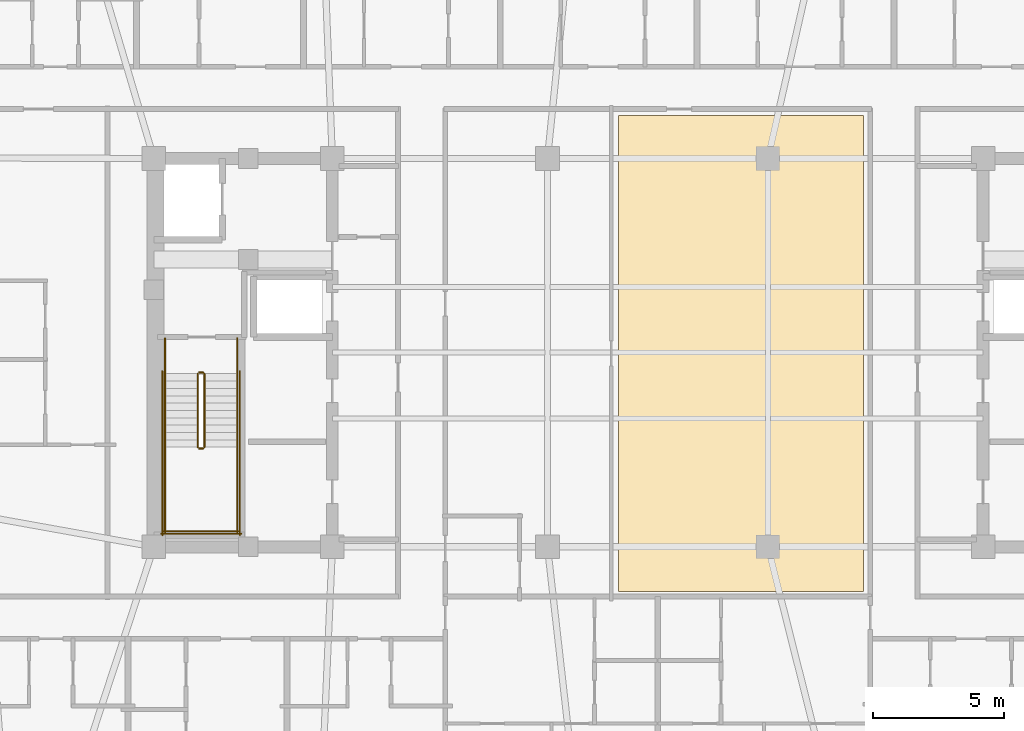
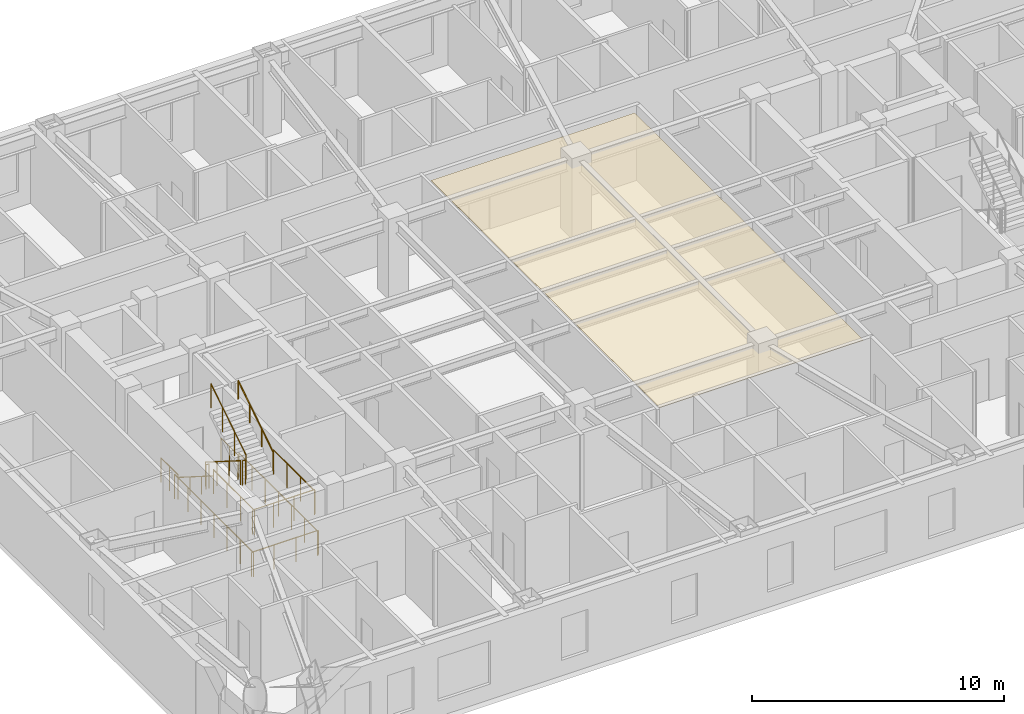
# One storey, part 10 of 11: 14 railings, 1 covering.
"""IFC4 building model written with IfcOpenShell, lengths in metres."""

from ifc_helpers import new_model, si_unit, direction, frame, origin, origin_2d, place, context, subcontext, project, spatial, polyline, circle, outline, extrude, material, layer, layer_set, type_object, element, save


model = new_model("IFC4")

# Units and contexts
model_context = context("Model", 3, precision=1e-05, world=origin(), true_north=direction((0.0, 1.0)))
body_context = subcontext(model_context, "Body", "Model", "MODEL_VIEW")
ifc_project = project(units=[si_unit("LENGTHUNIT", "METRE"), si_unit("AREAUNIT", "SQUARE_METRE"), si_unit("VOLUMEUNIT", "CUBIC_METRE"), si_unit("PLANEANGLEUNIT", "RADIAN"), si_unit("MASSUNIT", "GRAM", prefix="KILO")], contexts=[model_context])

# Site, building, storey
site_placement = place(None, origin())
site = spatial("IfcSite", under=ifc_project, at=site_placement, CompositionType="ELEMENT")
building_placement = place(site_placement, origin())
building = spatial("IfcBuilding", under=site, at=building_placement, Name="Voryun Gate Residences", CompositionType="ELEMENT")
storey_placement = place(building_placement, frame((0.0, 0.0, 243.10009765625)))
storey = spatial("IfcBuildingStorey", under=building, at=storey_placement, Name="L60", CompositionType="ELEMENT", Elevation=243.10009765625)

# Covering
ifc_material_1 = material(Name="Gypsum acoustic ceiling")
ifc_layer = layer(ifc_material_1, 0.02490234375, Name="COV_CEILING_ACOUSTIC")
ifc_layer_set = layer_set([ifc_layer], Name="Gypsum acoustic ceiling")
covering_type = type_object("IfcCoveringType", Name="COV_CEILING_ACOUSTIC", PredefinedType="CEILING", material=ifc_layer_set)
covering_placement = place(storey_placement, frame((0.0, 0.0, 3.39990234375)))
element("IfcCovering", 1, at=covering_placement, inside=storey, type_object=covering_type, Name="Acoustic ceiling CLG-L60-01", PredefinedType="CEILING", context=body_context, shape_type="SweptSolid", body=[
    extrude(outline(polyline([(-1.492919921875, -9.10009765625), (-1.492919921875, 9.050048828125), (7.840087890625, 9.050048828125), (7.840087890625, -9.10009765625), (-1.492919921875, -9.10009765625)])), origin(), (0.0, 0.0, 1.0), 0.02490234375),
])

# Railings
ifc_material_2 = material(Name="Painted steel", Category="steel")
railing_type_1 = type_object("IfcRailingType", Name="RAIL_STAIR_GUARD_1200", PredefinedType="GUARDRAIL", material=ifc_material_2)
railing_1_placement = place(storey_placement, frame((-17.52490234375, -0.800048828125, 0.17724609375)))
element("IfcRailing", 2, at=railing_1_placement, inside=storey, type_object=railing_type_1, Name="L60 ST-W1 stair guard 1", PredefinedType="GUARDRAIL", context=body_context, shape_type="SweptSolid", body=[
    extrude(circle(Radius=0.02392578125, at=origin_2d()), frame((0.0, 0.0, 1.17578125), z_axis=(0.0, -0.844908973607, 0.534910110503), x_axis=(1.0, 0.0, 0.0)), (0.0, 0.0, 1.0), 3.31396484375),
    extrude(circle(Radius=0.02099609375, at=origin_2d()), origin(), (0.0, 0.0, 1.0), 1.15185546875),
    extrude(circle(Radius=0.02099609375, at=origin_2d()), frame((0.0, -0.933349609375, 0.5908203125)), (0.0, 0.0, 1.0), 1.15185546875),
    extrude(circle(Radius=0.02099609375, at=origin_2d()), frame((0.0, -1.86669921875, 1.181884765625)), (0.0, 0.0, 1.0), 1.15185546875),
    extrude(circle(Radius=0.02099609375, at=origin_2d()), frame((0.0, -2.800048828125, 1.772705078125)), (0.0, 0.0, 1.0), 1.15185546875),
])
railing_2_placement = place(storey_placement, frame((-17.47509765625, -3.64990234375, 1.949951171875)))
element("IfcRailing", 3, at=railing_2_placement, inside=storey, type_object=railing_type_1, Name="L60 ST-W1 stair guard 2", PredefinedType="GUARDRAIL", context=body_context, shape_type="SweptSolid", body=[
    extrude(circle(Radius=0.02392578125, at=origin_2d()), frame((0.0, 0.0, 1.17578125), z_axis=(1.0, 0.0, 0.0), x_axis=(0.0, 1.0, 0.0)), (0.0, 0.0, 1.0), 0.150146484375),
    extrude(circle(Radius=0.02099609375, at=origin_2d()), origin(), (0.0, 0.0, 1.0), 1.15185546875),
    extrude(circle(Radius=0.02099609375, at=origin_2d()), frame((0.150146484375, 0.0, 0.0)), (0.0, 0.0, 1.0), 1.15185546875),
])
for number, where, name in (
    (4, (-18.77490234375, -3.60009765625, 1.949951171875), "L60 ST-W1 stair guard 3"),
    (5, (-16.02490234375, -3.60009765625, 1.949951171875), "L60 ST-W1 stair guard 4"),
):
    element("IfcRailing", number, at=place(storey_placement, frame(where)), inside=storey, type_object=railing_type_1, Name=name, PredefinedType="GUARDRAIL", context=body_context, shape_type="SweptSolid", body=[
        extrude(circle(Radius=0.02392578125, at=origin_2d()), frame((0.0, 0.0, 1.17578125), z_axis=(0.0, -1.0, 0.0), x_axis=(1.0, 0.0, 0.0)), (0.0, 0.0, 1.0), 3.25),
        extrude(circle(Radius=0.02099609375, at=origin_2d()), origin(), (0.0, 0.0, 1.0), 1.15185546875),
        extrude(circle(Radius=0.02099609375, at=origin_2d()), frame((0.0, -1.083251953125, 0.0)), (0.0, 0.0, 1.0), 1.15185546875),
        extrude(circle(Radius=0.02099609375, at=origin_2d()), frame((0.0, -2.166748046875, 0.0)), (0.0, 0.0, 1.0), 1.15185546875),
        extrude(circle(Radius=0.02099609375, at=origin_2d()), frame((0.0, -3.25, 0.0)), (0.0, 0.0, 1.0), 1.15185546875),
    ])
railing_3_placement = place(storey_placement, frame((-18.824951171875, -6.800048828125, 1.949951171875)))
element("IfcRailing", 6, at=railing_3_placement, inside=storey, type_object=railing_type_1, Name="L60 ST-W1 stair guard 5", PredefinedType="GUARDRAIL", context=body_context, shape_type="SweptSolid", body=[
    extrude(circle(Radius=0.02392578125, at=origin_2d()), frame((0.0, 0.0, 1.17578125), z_axis=(1.0, 0.0, 0.0), x_axis=(0.0, 1.0, 0.0)), (0.0, 0.0, 1.0), 2.849853515625),
    extrude(circle(Radius=0.02099609375, at=origin_2d()), origin(), (0.0, 0.0, 1.0), 1.15185546875),
    extrude(circle(Radius=0.02099609375, at=origin_2d()), frame((0.949951171875, 0.0, 0.0)), (0.0, 0.0, 1.0), 1.15185546875),
    extrude(circle(Radius=0.02099609375, at=origin_2d()), frame((1.89990234375, 0.0, 0.0)), (0.0, 0.0, 1.0), 1.15185546875),
    extrude(circle(Radius=0.02099609375, at=origin_2d()), frame((2.849853515625, 0.0, 0.0)), (0.0, 0.0, 1.0), 1.15185546875),
])
railing_4_placement = place(storey_placement, frame((-17.27490234375, -3.60009765625, 2.127197265625)))
element("IfcRailing", 7, at=railing_4_placement, inside=storey, type_object=railing_type_1, Name="L60 ST-W1 stair guard 6", PredefinedType="GUARDRAIL", context=body_context, shape_type="SweptSolid", body=[
    extrude(circle(Radius=0.02392578125, at=origin_2d()), frame((0.0, 0.0, 1.17578125), z_axis=(0.0, 0.844908973607, 0.534910110503), x_axis=(-1.0, 0.0, 0.0)), (0.0, 0.0, 1.0), 3.31396484375),
    extrude(circle(Radius=0.02099609375, at=origin_2d()), origin(), (0.0, 0.0, 1.0), 1.15185546875),
    extrude(circle(Radius=0.02099609375, at=origin_2d()), frame((0.0, 0.933349609375, 0.5908203125)), (0.0, 0.0, 1.0), 1.15185546875),
    extrude(circle(Radius=0.02099609375, at=origin_2d()), frame((0.0, 1.86669921875, 1.181884765625)), (0.0, 0.0, 1.0), 1.15185546875),
    extrude(circle(Radius=0.02099609375, at=origin_2d()), frame((0.0, 2.800048828125, 1.772705078125)), (0.0, 0.0, 1.0), 1.15185546875),
])
railing_5_placement = place(storey_placement, frame((-17.47509765625, -0.75, 0.0)))
element("IfcRailing", 8, at=railing_5_placement, inside=storey, type_object=railing_type_1, Name="L60 ST-W1 stair guard 7", PredefinedType="GUARDRAIL", context=body_context, shape_type="SweptSolid", body=[
    extrude(circle(Radius=0.02392578125, at=origin_2d()), frame((0.0, 0.0, 1.17578125), z_axis=(1.0, 0.0, 0.0), x_axis=(0.0, 1.0, 0.0)), (0.0, 0.0, 1.0), 0.150146484375),
    extrude(circle(Radius=0.02099609375, at=origin_2d()), origin(), (0.0, 0.0, 1.0), 1.15185546875),
    extrude(circle(Radius=0.02099609375, at=origin_2d()), frame((0.150146484375, 0.0, 0.0)), (0.0, 0.0, 1.0), 1.15185546875),
])
for number, where, name in (
    (9, (-18.77490234375, 0.550048828125, 0.0), "L60 ST-W1 stair guard 8"),
    (10, (-16.02490234375, 0.550048828125, 0.0), "L60 ST-W1 stair guard 9"),
):
    element("IfcRailing", number, at=place(storey_placement, frame(where)), inside=storey, type_object=railing_type_1, Name=name, PredefinedType="GUARDRAIL", context=body_context, shape_type="SweptSolid", body=[
        extrude(circle(Radius=0.02392578125, at=origin_2d()), frame((0.0, 0.0, 1.17578125), z_axis=(0.0, -1.0, 0.0), x_axis=(1.0, 0.0, 0.0)), (0.0, 0.0, 1.0), 1.35009765625),
        extrude(circle(Radius=0.02099609375, at=origin_2d()), origin(), (0.0, 0.0, 1.0), 1.15185546875),
        extrude(circle(Radius=0.02099609375, at=origin_2d()), frame((0.0, -0.675048828125, 0.0)), (0.0, 0.0, 1.0), 1.15185546875),
        extrude(circle(Radius=0.02099609375, at=origin_2d()), frame((0.0, -1.35009765625, 0.0)), (0.0, 0.0, 1.0), 1.15185546875),
    ])
for number, where, name in (
    (11, (-18.875, -0.699951171875, 0.0), "L60 ST-W1 stair guard 10"),
    (12, (-15.925048828125, -0.699951171875, 0.0), "L60 ST-W1 stair guard 11"),
):
    element("IfcRailing", number, at=place(storey_placement, frame(where)), inside=storey, type_object=railing_type_1, Name=name, PredefinedType="GUARDRAIL", context=body_context, shape_type="SweptSolid", body=[
        extrude(circle(Radius=0.02392578125, at=origin_2d()), frame((0.0, 0.0, 1.17578125), z_axis=(0.0, -1.0, 0.0), x_axis=(1.0, 0.0, 0.0)), (0.0, 0.0, 1.0), 6.25),
        extrude(circle(Radius=0.02099609375, at=origin_2d()), origin(), (0.0, 0.0, 1.0), 1.15185546875),
        extrude(circle(Radius=0.02099609375, at=origin_2d()), frame((0.0, -1.041748046875, 0.0)), (0.0, 0.0, 1.0), 1.15185546875),
        extrude(circle(Radius=0.02099609375, at=origin_2d()), frame((0.0, -2.083251953125, 0.0)), (0.0, 0.0, 1.0), 1.15185546875),
        extrude(circle(Radius=0.02099609375, at=origin_2d()), frame((0.0, -3.125, 0.0)), (0.0, 0.0, 1.0), 1.15185546875),
        extrude(circle(Radius=0.02099609375, at=origin_2d()), frame((0.0, -4.166748046875, 0.0)), (0.0, 0.0, 1.0), 1.15185546875),
        extrude(circle(Radius=0.02099609375, at=origin_2d()), frame((0.0, -5.208251953125, 0.0)), (0.0, 0.0, 1.0), 1.15185546875),
        extrude(circle(Radius=0.02099609375, at=origin_2d()), frame((0.0, -6.25, 0.0)), (0.0, 0.0, 1.0), 1.15185546875),
    ])
railing_6_placement = place(storey_placement, frame((-18.925048828125, -6.89990234375, 0.0)))
element("IfcRailing", 13, at=railing_6_placement, inside=storey, type_object=railing_type_1, Name="L60 ST-W1 stair guard 12", PredefinedType="GUARDRAIL", context=body_context, shape_type="SweptSolid", body=[
    extrude(circle(Radius=0.02392578125, at=origin_2d()), frame((0.0, 0.0, 1.17578125), z_axis=(1.0, 0.0, 0.0), x_axis=(0.0, 1.0, 0.0)), (0.0, 0.0, 1.0), 3.050048828125),
    extrude(circle(Radius=0.02099609375, at=origin_2d()), origin(), (0.0, 0.0, 1.0), 1.15185546875),
    extrude(circle(Radius=0.02099609375, at=origin_2d()), frame((1.0166015625, 0.0, 0.0)), (0.0, 0.0, 1.0), 1.15185546875),
    extrude(circle(Radius=0.02099609375, at=origin_2d()), frame((2.033447265625, 0.0, 0.0)), (0.0, 0.0, 1.0), 1.15185546875),
    extrude(circle(Radius=0.02099609375, at=origin_2d()), frame((3.050048828125, 0.0, 0.0)), (0.0, 0.0, 1.0), 1.15185546875),
])
ifc_material_3 = material(Name="Painted steel", Category="steel")
railing_type_2 = type_object("IfcRailingType", Name="RAIL_STAIR_HANDRAIL_900", PredefinedType="HANDRAIL", material=ifc_material_3)
railing_7_placement = place(storey_placement, frame((-18.77490234375, -0.800048828125, 0.17724609375)))
element("IfcRailing", 14, at=railing_7_placement, inside=storey, type_object=railing_type_2, Name="L60 ST-W1 stair handrail 1", PredefinedType="HANDRAIL", context=body_context, shape_type="SweptSolid", body=[
    extrude(circle(Radius=0.02392578125, at=origin_2d()), frame((0.0, 0.0, 0.8759765625), z_axis=(0.0, -0.844908973607, 0.534910110503), x_axis=(1.0, 0.0, 0.0)), (0.0, 0.0, 1.0), 3.31396484375),
    extrude(circle(Radius=0.02099609375, at=origin_2d()), origin(), (0.0, 0.0, 1.0), 0.851806640625),
    extrude(circle(Radius=0.02099609375, at=origin_2d()), frame((0.0, -0.933349609375, 0.5908203125)), (0.0, 0.0, 1.0), 0.851806640625),
    extrude(circle(Radius=0.02099609375, at=origin_2d()), frame((0.0, -1.86669921875, 1.181884765625)), (0.0, 0.0, 1.0), 0.851806640625),
    extrude(circle(Radius=0.02099609375, at=origin_2d()), frame((0.0, -2.800048828125, 1.772705078125)), (0.0, 0.0, 1.0), 0.851806640625),
])
railing_8_placement = place(storey_placement, frame((-16.02490234375, -3.60009765625, 2.127197265625)))
element("IfcRailing", 15, at=railing_8_placement, inside=storey, type_object=railing_type_2, Name="L60 ST-W1 stair handrail 2", PredefinedType="HANDRAIL", context=body_context, shape_type="SweptSolid", body=[
    extrude(circle(Radius=0.02392578125, at=origin_2d()), frame((0.0, 0.0, 0.8759765625), z_axis=(0.0, 0.844908973607, 0.534910110503), x_axis=(-1.0, 0.0, 0.0)), (0.0, 0.0, 1.0), 3.31396484375),
    extrude(circle(Radius=0.02099609375, at=origin_2d()), origin(), (0.0, 0.0, 1.0), 0.851806640625),
    extrude(circle(Radius=0.02099609375, at=origin_2d()), frame((0.0, 0.933349609375, 0.5908203125)), (0.0, 0.0, 1.0), 0.851806640625),
    extrude(circle(Radius=0.02099609375, at=origin_2d()), frame((0.0, 1.86669921875, 1.181884765625)), (0.0, 0.0, 1.0), 0.851806640625),
    extrude(circle(Radius=0.02099609375, at=origin_2d()), frame((0.0, 2.800048828125, 1.772705078125)), (0.0, 0.0, 1.0), 0.851806640625),
])

save(model, "model.ifc")
